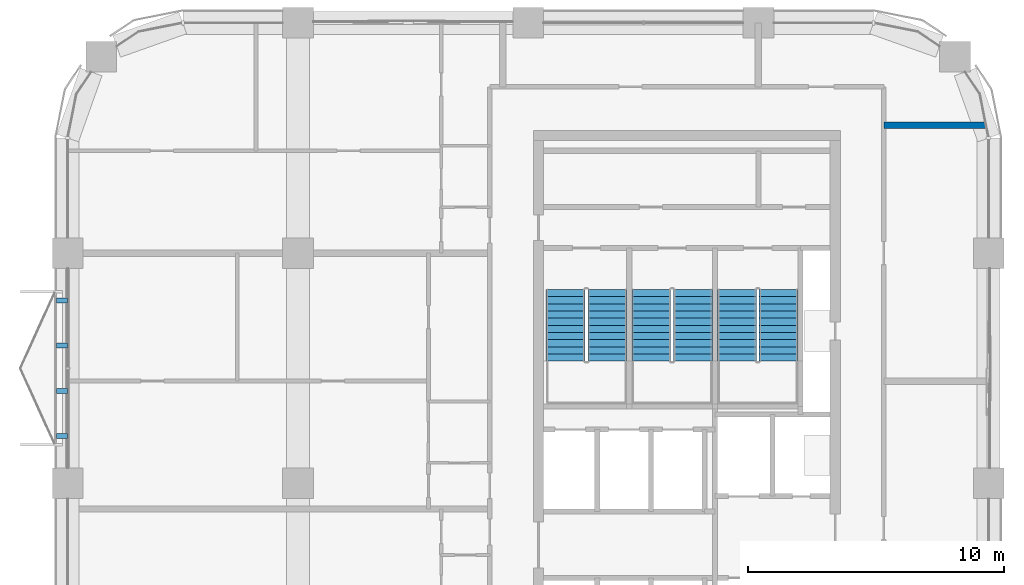
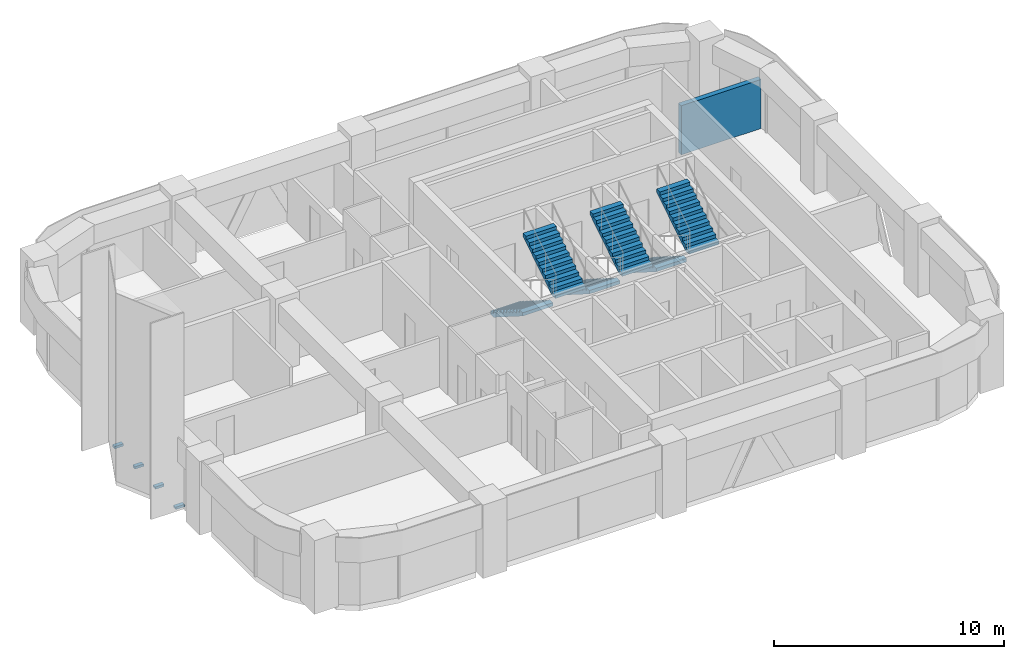
# One storey, part 9 of 10: 6 stair flights, 4 discrete accessories, 1 wall, 3 elements without a shape of their own.
"""IFC4 building model written with IfcOpenShell, lengths in metres."""

from ifc_helpers import new_model, si_unit, direction, frame, frame_2d, origin, origin_2d, place, context, subcontext, project, spatial, polyline, rectangle, outline, extrude, material, layer, layer_set, type_object, element, aggregate, save


model = new_model("IFC4")

# Units and contexts
model_context = context("Model", 3, precision=1e-05, world=origin(), true_north=direction((0.0, 1.0)))
body_context = subcontext(model_context, "Body", "Model", "MODEL_VIEW")
ifc_project = project(units=[si_unit("LENGTHUNIT", "METRE"), si_unit("AREAUNIT", "SQUARE_METRE"), si_unit("VOLUMEUNIT", "CUBIC_METRE"), si_unit("PLANEANGLEUNIT", "RADIAN"), si_unit("MASSUNIT", "GRAM", prefix="KILO")], contexts=[model_context])

# Site, building, storey
site_placement = place(None, origin())
site = spatial("IfcSite", under=ifc_project, at=site_placement, CompositionType="ELEMENT")
building_placement = place(site_placement, origin())
building = spatial("IfcBuilding", under=site, at=building_placement, Name="Tessera Arch", CompositionType="ELEMENT")
storey_placement = place(building_placement, frame((0.0, 0.0, 238.39990234375)))
storey = spatial("IfcBuildingStorey", under=building, at=storey_placement, Name="L57", CompositionType="ELEMENT", Elevation=238.39990234375)

# Wall
ifc_material_1 = material(Name="Double gypsum board on twin steel stud with acoustic mineral wool", Category="steel")
ifc_layer = layer(ifc_material_1, 0.25)
ifc_layer_set = layer_set([ifc_layer], Name="Party wall 250 EI 60")
wall_type = type_object("IfcWallType", Name="Party wall 250 EI 60", PredefinedType="PARTITIONING", material=ifc_layer_set)
wall_placement = place(storey_placement, frame((49.89990234375, 50.0, 0.0), z_axis=(0.0, 0.0, 1.0), x_axis=(1.0, 0.0, 0.0)))
element("IfcWall", 1, at=wall_placement, inside=storey, type_object=wall_type, Name="L57 partition 19", PredefinedType="PARTITIONING", context=body_context, shape_type="SweptSolid", body=[
    extrude(rectangle(XDim=4.00048828125, YDim=0.25, at=frame_2d((2.000244140625, 0.0))), origin(), (0.0, 0.0, 1.0), 2.60009765625),
])

# Stair, stair flights
ifc_material_2 = material(Name="Concrete C40/50", Category="concrete")
stair_type = type_object("IfcStairType", Name="Dogleg stair 1520", PredefinedType="HALF_TURN_STAIR", material=ifc_material_2)
stair_1_placement = place(storey_placement, origin())
stair_1 = element("IfcStair", 2, at=stair_1_placement, inside=storey, type_object=stair_type, Name="L57 S1a", PredefinedType="HALF_TURN_STAIR")
ifc_material_3 = material(Name="Concrete C40/50", Category="concrete")
stair_flight_type = type_object("IfcStairFlightType", Name="Stair flight 1520", PredefinedType="STRAIGHT", material=ifc_material_3)
stair_flight_1_placement = place(storey_placement, frame((37.4599609375, 43.580078125, 0.0), z_axis=(0.0, 0.0, 1.0), x_axis=(0.0, -1.0, 0.0)))
stair_flight_1 = element("IfcStairFlight", 3, at=stair_flight_1_placement, type_object=stair_flight_type, Name="S1a flight 1", NumberOfRisers=11, NumberOfTreads=10, PredefinedType="STRAIGHT", RiserHeight=0.177272727, TreadLength=0.28, context=body_context, shape_type="SweptSolid", body=[
    extrude(outline(polyline([(0.0, 0.0), (0.0, 0.17724609375), (0.280029296875, 0.17724609375), (0.280029296875, 0.3544921875), (0.56005859375, 0.3544921875), (0.56005859375, 0.53173828125), (0.840087890625, 0.53173828125), (0.840087890625, 0.708984375), (1.1201171875, 0.708984375), (1.1201171875, 0.886474609375), (1.39990234375, 0.886474609375), (1.39990234375, 1.063720703125), (1.679931640625, 1.063720703125), (1.679931640625, 1.240966796875), (1.9599609375, 1.240966796875), (1.9599609375, 1.418212890625), (2.239990234375, 1.418212890625), (2.239990234375, 1.595458984375), (2.52001953125, 1.595458984375), (2.52001953125, 1.772705078125), (2.800048828125, 1.772705078125), (2.800048828125, 1.949951171875), (2.800048828125, 1.59521484375), (0.2802734375, 0.0), (0.0, 0.0)])), frame((0.0, 0.760009765625, 0.0), z_axis=(0.0, -1.0, 0.0), x_axis=(1.0, 0.0, 0.0)), (0.0, 0.0, 1.0), 1.52001953125),
])
stair_flight_2_placement = place(storey_placement, frame((39.090087890625, 40.780029296875, 1.9501953125), z_axis=(0.0, 0.0, 1.0), x_axis=(0.0, 1.0, 0.0)))
stair_flight_2 = element("IfcStairFlight", 4, at=stair_flight_2_placement, type_object=stair_flight_type, Name="S1a flight 2", NumberOfRisers=11, NumberOfTreads=10, PredefinedType="STRAIGHT", RiserHeight=0.177272727, TreadLength=0.28, context=body_context, shape_type="SweptSolid", body=[
    extrude(outline(polyline([(0.0, 0.0), (0.0, 0.17724609375), (0.280029296875, 0.17724609375), (0.280029296875, 0.3544921875), (0.56005859375, 0.3544921875), (0.56005859375, 0.53173828125), (0.840087890625, 0.53173828125), (0.840087890625, 0.708984375), (1.1201171875, 0.708984375), (1.1201171875, 0.886474609375), (1.39990234375, 0.886474609375), (1.39990234375, 1.063720703125), (1.679931640625, 1.063720703125), (1.679931640625, 1.240966796875), (1.9599609375, 1.240966796875), (1.9599609375, 1.418212890625), (2.239990234375, 1.418212890625), (2.239990234375, 1.595458984375), (2.52001953125, 1.595458984375), (2.52001953125, 1.772705078125), (2.800048828125, 1.772705078125), (2.800048828125, 1.949951171875), (2.800048828125, 1.59521484375), (0.2802734375, 0.0), (0.0, 0.0)])), frame((0.0, 0.760009765625, 0.0), z_axis=(0.0, -1.0, 0.0), x_axis=(1.0, 0.0, 0.0)), (0.0, 0.0, 1.0), 1.52001953125),
])
aggregate(stair_1, [stair_flight_1, stair_flight_2])

stair_2_placement = place(storey_placement, origin())
stair_2 = element("IfcStair", 5, at=stair_2_placement, inside=storey, type_object=stair_type, Name="L57 S1b", PredefinedType="HALF_TURN_STAIR")
stair_flight_3_placement = place(storey_placement, frame((40.81005859375, 43.580078125, 0.0), z_axis=(0.0, 0.0, 1.0), x_axis=(0.0, -1.0, 0.0)))
stair_flight_3 = element("IfcStairFlight", 6, at=stair_flight_3_placement, type_object=stair_flight_type, Name="S1b flight 1", NumberOfRisers=11, NumberOfTreads=10, PredefinedType="STRAIGHT", RiserHeight=0.177272727, TreadLength=0.28, context=body_context, shape_type="SweptSolid", body=[
    extrude(outline(polyline([(0.0, 0.0), (0.0, 0.17724609375), (0.280029296875, 0.17724609375), (0.280029296875, 0.3544921875), (0.56005859375, 0.3544921875), (0.56005859375, 0.53173828125), (0.840087890625, 0.53173828125), (0.840087890625, 0.708984375), (1.1201171875, 0.708984375), (1.1201171875, 0.886474609375), (1.39990234375, 0.886474609375), (1.39990234375, 1.063720703125), (1.679931640625, 1.063720703125), (1.679931640625, 1.240966796875), (1.9599609375, 1.240966796875), (1.9599609375, 1.418212890625), (2.239990234375, 1.418212890625), (2.239990234375, 1.595458984375), (2.52001953125, 1.595458984375), (2.52001953125, 1.772705078125), (2.800048828125, 1.772705078125), (2.800048828125, 1.949951171875), (2.800048828125, 1.59521484375), (0.2802734375, 0.0), (0.0, 0.0)])), frame((0.0, 0.760009765625, 0.0), z_axis=(0.0, -1.0, 0.0), x_axis=(1.0, 0.0, 0.0)), (0.0, 0.0, 1.0), 1.52001953125),
])
stair_flight_4_placement = place(storey_placement, frame((42.43994140625, 40.780029296875, 1.9501953125), z_axis=(0.0, 0.0, 1.0), x_axis=(0.0, 1.0, 0.0)))
stair_flight_4 = element("IfcStairFlight", 7, at=stair_flight_4_placement, type_object=stair_flight_type, Name="S1b flight 2", NumberOfRisers=11, NumberOfTreads=10, PredefinedType="STRAIGHT", RiserHeight=0.177272727, TreadLength=0.28, context=body_context, shape_type="SweptSolid", body=[
    extrude(outline(polyline([(0.0, 0.0), (0.0, 0.17724609375), (0.280029296875, 0.17724609375), (0.280029296875, 0.3544921875), (0.56005859375, 0.3544921875), (0.56005859375, 0.53173828125), (0.840087890625, 0.53173828125), (0.840087890625, 0.708984375), (1.1201171875, 0.708984375), (1.1201171875, 0.886474609375), (1.39990234375, 0.886474609375), (1.39990234375, 1.063720703125), (1.679931640625, 1.063720703125), (1.679931640625, 1.240966796875), (1.9599609375, 1.240966796875), (1.9599609375, 1.418212890625), (2.239990234375, 1.418212890625), (2.239990234375, 1.595458984375), (2.52001953125, 1.595458984375), (2.52001953125, 1.772705078125), (2.800048828125, 1.772705078125), (2.800048828125, 1.949951171875), (2.800048828125, 1.59521484375), (0.2802734375, 0.0), (0.0, 0.0)])), frame((0.0, 0.760009765625, 0.0), z_axis=(0.0, -1.0, 0.0), x_axis=(1.0, 0.0, 0.0)), (0.0, 0.0, 1.0), 1.52001953125),
])
aggregate(stair_2, [stair_flight_3, stair_flight_4])

stair_3_placement = place(storey_placement, origin())
stair_3 = element("IfcStair", 8, at=stair_3_placement, inside=storey, type_object=stair_type, Name="L57 S1c", PredefinedType="HALF_TURN_STAIR")
stair_flight_5_placement = place(storey_placement, frame((44.159912109375, 43.580078125, 0.0), z_axis=(0.0, 0.0, 1.0), x_axis=(0.0, -1.0, 0.0)))
stair_flight_5 = element("IfcStairFlight", 9, at=stair_flight_5_placement, type_object=stair_flight_type, Name="S1c flight 1", NumberOfRisers=11, NumberOfTreads=10, PredefinedType="STRAIGHT", RiserHeight=0.177272727, TreadLength=0.28, context=body_context, shape_type="SweptSolid", body=[
    extrude(outline(polyline([(0.0, 0.0), (0.0, 0.17724609375), (0.280029296875, 0.17724609375), (0.280029296875, 0.3544921875), (0.56005859375, 0.3544921875), (0.56005859375, 0.53173828125), (0.840087890625, 0.53173828125), (0.840087890625, 0.708984375), (1.1201171875, 0.708984375), (1.1201171875, 0.886474609375), (1.39990234375, 0.886474609375), (1.39990234375, 1.063720703125), (1.679931640625, 1.063720703125), (1.679931640625, 1.240966796875), (1.9599609375, 1.240966796875), (1.9599609375, 1.418212890625), (2.239990234375, 1.418212890625), (2.239990234375, 1.595458984375), (2.52001953125, 1.595458984375), (2.52001953125, 1.772705078125), (2.800048828125, 1.772705078125), (2.800048828125, 1.949951171875), (2.800048828125, 1.59521484375), (0.2802734375, 0.0), (0.0, 0.0)])), frame((0.0, 0.760009765625, 0.0), z_axis=(0.0, -1.0, 0.0), x_axis=(1.0, 0.0, 0.0)), (0.0, 0.0, 1.0), 1.52001953125),
])
stair_flight_6_placement = place(storey_placement, frame((45.7900390625, 40.780029296875, 1.9501953125), z_axis=(0.0, 0.0, 1.0), x_axis=(0.0, 1.0, 0.0)))
stair_flight_6 = element("IfcStairFlight", 10, at=stair_flight_6_placement, type_object=stair_flight_type, Name="S1c flight 2", NumberOfRisers=11, NumberOfTreads=10, PredefinedType="STRAIGHT", RiserHeight=0.177272727, TreadLength=0.28, context=body_context, shape_type="SweptSolid", body=[
    extrude(outline(polyline([(0.0, 0.0), (0.0, 0.17724609375), (0.280029296875, 0.17724609375), (0.280029296875, 0.3544921875), (0.56005859375, 0.3544921875), (0.56005859375, 0.53173828125), (0.840087890625, 0.53173828125), (0.840087890625, 0.708984375), (1.1201171875, 0.708984375), (1.1201171875, 0.886474609375), (1.39990234375, 0.886474609375), (1.39990234375, 1.063720703125), (1.679931640625, 1.063720703125), (1.679931640625, 1.240966796875), (1.9599609375, 1.240966796875), (1.9599609375, 1.418212890625), (2.239990234375, 1.418212890625), (2.239990234375, 1.595458984375), (2.52001953125, 1.595458984375), (2.52001953125, 1.772705078125), (2.800048828125, 1.772705078125), (2.800048828125, 1.949951171875), (2.800048828125, 1.59521484375), (0.2802734375, 0.0), (0.0, 0.0)])), frame((0.0, 0.760009765625, 0.0), z_axis=(0.0, -1.0, 0.0), x_axis=(1.0, 0.0, 0.0)), (0.0, 0.0, 1.0), 1.52001953125),
])
aggregate(stair_3, [stair_flight_5, stair_flight_6])

# Discrete accessories
for number, where, z_axis, x_axis, name in (
    (11, (17.780029296875, 43.14990234375, -0.119873046875), (0.0, 0.0, 1.0), (-1.0, 0.0, 0.0), "Window box bracket"),
    (12, (17.780029296875, 41.38330078125, -0.119873046875), (0.0, 0.0, 1.0), (-1.0, 0.0, 0.0), "Window box bracket"),
    (13, (17.780029296875, 39.61669921875, -0.119873046875), (0.0, 0.0, 1.0), (-1.0, 0.0, 0.0), "Window box bracket"),
    (14, (17.780029296875, 37.85009765625, -0.119873046875), (0.0, 0.0, 1.0), (-1.0, 0.0, 0.0), "Window box bracket"),
):
    element("IfcDiscreteAccessory", number, at=place(storey_placement, frame(where, z_axis=z_axis, x_axis=x_axis)), inside=storey, Name=name, PredefinedType="BRACKET", context=body_context, shape_type="SweptSolid", body=[
        extrude(rectangle(XDim=0.43994140625, YDim=0.199951171875, at=origin_2d()), origin(), (0.0, 0.0, 1.0), 0.1201171875),
    ])

save(model, "model.ifc")
